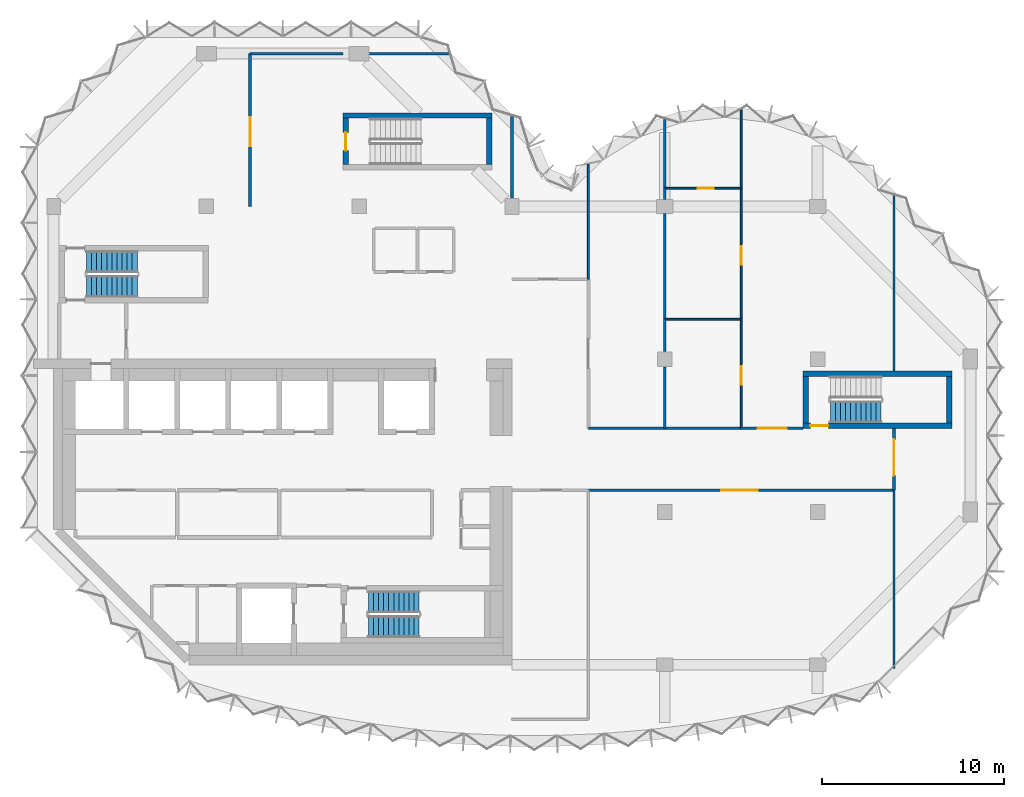
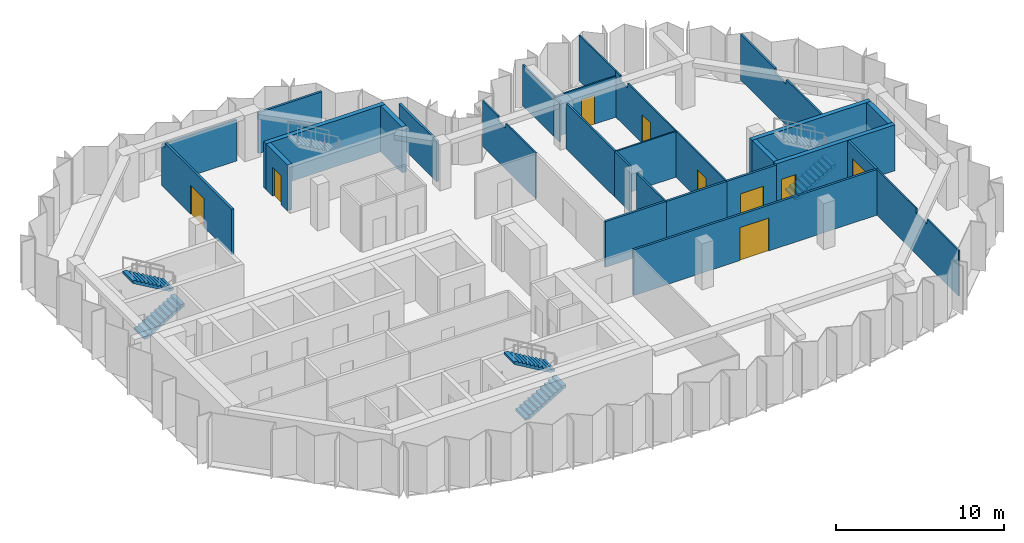
# One storey, part 6 of 9: 29 walls, 9 doors, 5 stair flights, 9 openings, 3 elements without a shape of their own.
"""IFC4 building model written with IfcOpenShell, lengths in metres."""

from ifc_helpers import new_model, si_unit, direction, frame, frame_2d, origin, place, context, subcontext, project, spatial, polyline, rectangle, outline, extrude, material, layer, layer_set, type_object, element, fill, aggregate, save


model = new_model("IFC4")

# Units and contexts
model_context = context("Model", 3, precision=1e-05, world=origin(), true_north=direction((0.0, 1.0)))
body_context = subcontext(model_context, "Body", "Model", "MODEL_VIEW")
ifc_project = project(units=[si_unit("LENGTHUNIT", "METRE"), si_unit("AREAUNIT", "SQUARE_METRE"), si_unit("VOLUMEUNIT", "CUBIC_METRE"), si_unit("PLANEANGLEUNIT", "RADIAN"), si_unit("MASSUNIT", "GRAM", prefix="KILO")], contexts=[model_context])

# Site, building, storey
site_placement = place(None, origin())
site = spatial("IfcSite", under=ifc_project, at=site_placement, CompositionType="ELEMENT")
building_placement = place(site_placement, origin())
building = spatial("IfcBuilding", under=site, at=building_placement, Name="Brevane Broadcast Tower", CompositionType="ELEMENT")
storey_placement = place(building_placement, frame((0.0, 0.0, 248.10009765625)))
storey = spatial("IfcBuildingStorey", under=building, at=storey_placement, Name="L63", CompositionType="ELEMENT", Elevation=248.10009765625)

# Wall
ifc_material_1 = material(Name="Concrete C50/60", Category="concrete")
ifc_layer_1 = layer(ifc_material_1, 0.300048828125)
ifc_layer_set_1 = layer_set([ifc_layer_1], Name="Core wall 300 mm C50/60")
wall_type_1 = type_object("IfcWallType", Name="Core wall 300 mm C50/60", PredefinedType="SHEAR", material=ifc_layer_set_1)
wall_1_placement = place(storey_placement, frame((15.89990234375, 30.199951171875, 0.0), z_axis=(0.0, 0.0, 1.0), x_axis=(1.0, 0.0, 0.0)))
element("IfcWall", 1, at=wall_1_placement, inside=storey, type_object=wall_type_1, Name="L63 stair wall ST-3-N", PredefinedType="SHEAR", context=body_context, shape_type="SweptSolid", body=[
    extrude(rectangle(XDim=8.2001953125, YDim=0.300048828125, at=frame_2d((4.10009765625, 0.0))), origin(), (0.0, 0.0, 1.0), 3.349853515625),
])

# Wall, opening, door
wall_2_placement = place(storey_placement, frame((16.050048828125, 27.5, 0.0), z_axis=(0.0, 0.0, 1.0), x_axis=(0.0, 1.0, 0.0)))
wall_2 = element("IfcWall", 2, at=wall_2_placement, inside=storey, type_object=wall_type_1, Name="L63 stair wall ST-3-W", PredefinedType="SHEAR", context=body_context, shape_type="SweptSolid", body=[
    extrude(rectangle(XDim=2.550048828125, YDim=0.300048828125, at=frame_2d((1.27490234375, 0.0))), origin(), (0.0, 0.0, 1.0), 3.349853515625),
])
opening_1_placement = place(wall_2_placement, frame((0.77490234375, 0.0, 0.0)))
opening_1 = element("IfcOpeningElement", 3, at=opening_1_placement, cuts=wall_2, Name="Opening L63-K12", PredefinedType="OPENING", context=body_context, shape_type="SweptSolid", body=[
    extrude(rectangle(XDim=1.0, YDim=2.10009765625, at=frame_2d((0.5, 1.050048828125))), frame((0.0, 0.159912109375, 0.0), z_axis=(0.0, -1.0, 0.0), x_axis=(1.0, 0.0, 0.0)), (0.0, 0.0, 1.0), 0.320068359375),
])
ifc_material_2 = material(Name="Steel", Category="steel")
door_type_1 = type_object("IfcDoorType", Name="Stair door 1000 x 2100", OperationType="SINGLE_SWING_LEFT", PredefinedType="DOOR", material=ifc_material_2)
door_1_placement = place(opening_1_placement, origin())
door_1 = element("IfcDoor", 4, at=door_1_placement, inside=storey, type_object=door_type_1, Name="Door L63-K12", OperationType="SINGLE_SWING_LEFT", OverallHeight=2.10009765625, OverallWidth=1.0, PredefinedType="DOOR", context=body_context, shape_type="SweptSolid", body=[
    extrude(rectangle(XDim=1.0, YDim=2.10009765625, at=frame_2d((0.5, 1.050048828125))), frame((0.0, 0.02490234375, 0.0), z_axis=(0.0, -1.0, 0.0), x_axis=(1.0, 0.0, 0.0)), (0.0, 0.0, 1.0), 0.050048828125),
])
fill(opening_1, door_1)

# Wall
wall_3_placement = place(storey_placement, frame((23.949951171875, 27.5, 0.0), z_axis=(0.0, 0.0, 1.0), x_axis=(0.0, 1.0, 0.0)))
element("IfcWall", 5, at=wall_3_placement, inside=storey, type_object=wall_type_1, Name="L63 stair wall ST-3-E", PredefinedType="SHEAR", context=body_context, shape_type="SweptSolid", body=[
    extrude(rectangle(XDim=2.550048828125, YDim=0.300048828125, at=frame_2d((1.27490234375, 0.0))), origin(), (0.0, 0.0, 1.0), 3.349853515625),
])

# Wall, opening, door
wall_4_placement = place(storey_placement, frame((49.39990234375, 13.14990234375, 0.0), z_axis=(0.0, 0.0, 1.0), x_axis=(-1.0, 0.0, 0.0)))
wall_4 = element("IfcWall", 6, at=wall_4_placement, inside=storey, type_object=wall_type_1, Name="L63 stair wall ST-4-S", PredefinedType="SHEAR", context=body_context, shape_type="SweptSolid", body=[
    extrude(rectangle(XDim=8.199951171875, YDim=0.300048828125, at=frame_2d((4.10009765625, 0.0))), origin(), (0.0, 0.0, 1.0), 3.349853515625),
])
opening_2_placement = place(wall_4_placement, frame((6.800048828125, 0.0, 0.0)))
opening_2 = element("IfcOpeningElement", 7, at=opening_2_placement, cuts=wall_4, Name="Opening L63-K13", PredefinedType="OPENING", context=body_context, shape_type="SweptSolid", body=[
    extrude(rectangle(XDim=1.0, YDim=2.10009765625, at=frame_2d((0.5, 1.050048828125))), frame((0.0, 0.159912109375, 0.0), z_axis=(0.0, -1.0, 0.0), x_axis=(1.0, 0.0, 0.0)), (0.0, 0.0, 1.0), 0.320068359375),
])
door_2_placement = place(opening_2_placement, origin())
door_2 = element("IfcDoor", 8, at=door_2_placement, inside=storey, type_object=door_type_1, Name="Door L63-K13", OperationType="SINGLE_SWING_RIGHT", OverallHeight=2.10009765625, OverallWidth=1.0, PredefinedType="DOOR", context=body_context, shape_type="SweptSolid", body=[
    extrude(rectangle(XDim=1.0, YDim=2.10009765625, at=frame_2d((0.5, 1.050048828125))), frame((0.0, 0.02490234375, 0.0), z_axis=(0.0, -1.0, 0.0), x_axis=(1.0, 0.0, 0.0)), (0.0, 0.0, 1.0), 0.050048828125),
])
fill(opening_2, door_2)

# Walls
wall_5_placement = place(storey_placement, frame((41.199951171875, 16.0, 0.0), z_axis=(0.0, 0.0, 1.0), x_axis=(1.0, 0.0, 0.0)))
element("IfcWall", 9, at=wall_5_placement, inside=storey, type_object=wall_type_1, Name="L63 stair wall ST-4-N", PredefinedType="SHEAR", context=body_context, shape_type="SweptSolid", body=[
    extrude(rectangle(XDim=8.199951171875, YDim=0.300048828125, at=frame_2d((4.10009765625, 0.0))), origin(), (0.0, 0.0, 1.0), 3.349853515625),
])
for number, where, z_axis, x_axis, name in (
    (10, (41.35009765625, 13.300048828125, 0.0), (0.0, 0.0, 1.0), (0.0, 1.0, 0.0), "L63 stair wall ST-4-W"),
    (11, (49.25, 13.300048828125, 0.0), (0.0, 0.0, 1.0), (0.0, 1.0, 0.0), "L63 stair wall ST-4-E"),
):
    element("IfcWall", number, at=place(storey_placement, frame(where, z_axis=z_axis, x_axis=x_axis)), inside=storey, type_object=wall_type_1, Name=name, PredefinedType="SHEAR", context=body_context, shape_type="SweptSolid", body=[
        extrude(rectangle(XDim=2.550048828125, YDim=0.300048828125, at=frame_2d((1.27490234375, 0.0))), origin(), (0.0, 0.0, 1.0), 3.349853515625),
    ])
ifc_material_3 = material(Name="Gypsum board partition")
ifc_layer_2 = layer(ifc_material_3, 0.10009765625)
ifc_layer_set_2 = layer_set([ifc_layer_2], Name="PARTITION 100 STUD")
wall_type_2 = type_object("IfcWallType", Name="PARTITION 100 STUD", PredefinedType="PARTITIONING", material=ifc_layer_set_2)
wall_6_placement = place(storey_placement, frame((29.39990234375, 27.510986328125, 0.0), z_axis=(0.0, 0.0, 1.0), x_axis=(0.0, -1.0, 0.0)))
element("IfcWall", 12, at=wall_6_placement, inside=storey, type_object=wall_type_2, Name="Partition G19-004", PredefinedType="PARTITIONING", context=body_context, shape_type="SweptSolid", body=[
    extrude(outline(polyline([(0.0, 0.0), (6.31103515625, 0.0), (6.31103515625, 3.329833984375), (2.760986328125, 3.329833984375), (2.759033203125, 2.97998046875), (1.863037109375, 2.97998046875), (1.861083984375, 3.329833984375), (0.236083984375, 3.329833984375), (0.0, 3.329833984375), (0.0, 0.0)])), frame((0.0, 0.050048828125, 0.0), z_axis=(0.0, -1.0, 0.0), x_axis=(1.0, 0.0, 0.0)), (0.0, 0.0, 1.0), 0.10009765625),
])
wall_7_placement = place(storey_placement, frame((46.199951171875, -0.199951171875, 0.0), z_axis=(0.0, 0.0, 1.0), x_axis=(0.0, 1.0, 0.0)))
element("IfcWall", 13, at=wall_7_placement, inside=storey, type_object=wall_type_2, Name="Partition G19-011", PredefinedType="PARTITIONING", context=body_context, shape_type="SweptSolid", body=[
    extrude(outline(polyline([(0.0, 0.0), (9.800048828125, 0.0), (9.800048828125, 3.329833984375), (5.065673828125, 3.329833984375), (5.063720703125, 2.97998046875), (3.736328125, 2.97998046875), (3.734375, 3.329833984375), (0.0, 3.329833984375), (0.0, 0.0)])), frame((0.0, 0.050048828125, 0.0), z_axis=(0.0, -1.0, 0.0), x_axis=(1.0, 0.0, 0.0)), (0.0, 0.0, 1.0), 0.10009765625),
])

# Wall, opening, door
wall_8_placement = place(storey_placement, frame((37.800048828125, 13.0, 0.0), z_axis=(0.0, 0.0, 1.0), x_axis=(0.0, 1.0, 0.0)))
wall_8 = element("IfcWall", 14, at=wall_8_placement, inside=storey, type_object=wall_type_2, Name="Partition G19-020", PredefinedType="PARTITIONING", context=body_context, shape_type="SweptSolid", body=[
    extrude(rectangle(XDim=6.0, YDim=0.10009765625, at=frame_2d((3.0, 0.0))), origin(), (0.0, 0.0, 1.0), 3.329833984375),
])
opening_3_placement = place(wall_8_placement, frame((2.39990234375, 0.0, 0.0)))
opening_3 = element("IfcOpeningElement", 15, at=opening_3_placement, cuts=wall_8, Name="Opening D30-007", PredefinedType="OPENING", context=body_context, shape_type="SweptSolid", body=[
    extrude(rectangle(XDim=1.0, YDim=2.10009765625, at=frame_2d((0.5, 1.050048828125))), frame((0.0, 0.06005859375, 0.0), z_axis=(0.0, -1.0, 0.0), x_axis=(1.0, 0.0, 0.0)), (0.0, 0.0, 1.0), 0.1201171875),
])
ifc_material_4 = material(Name="Timber door leaf", Category="wood")
door_type_2 = type_object("IfcDoorType", Name="DOOR SINGLE 1000 INTERNAL", OperationType="SINGLE_SWING_LEFT", PredefinedType="DOOR", material=ifc_material_4)
door_3_placement = place(opening_3_placement, origin())
door_3 = element("IfcDoor", 16, at=door_3_placement, inside=storey, type_object=door_type_2, Name="Door D30-007", OperationType="SINGLE_SWING_LEFT", OverallHeight=2.10009765625, OverallWidth=1.0, PredefinedType="DOOR", context=body_context, shape_type="SweptSolid", body=[
    extrude(rectangle(XDim=1.0, YDim=2.10009765625, at=frame_2d((0.5, 1.050048828125))), frame((0.0, 0.02490234375, 0.0), z_axis=(0.0, -1.0, 0.0), x_axis=(1.0, 0.0, 0.0)), (0.0, 0.0, 1.0), 0.050048828125),
])
fill(opening_3, door_3)

wall_9_placement = place(storey_placement, frame((37.800048828125, 19.0, 0.0), z_axis=(0.0, 0.0, 1.0), x_axis=(0.0, 1.0, 0.0)))
wall_9 = element("IfcWall", 17, at=wall_9_placement, inside=storey, type_object=wall_type_2, Name="Partition G19-021", PredefinedType="PARTITIONING", context=body_context, shape_type="SweptSolid", body=[
    extrude(outline(polyline([(0.0, 0.0), (7.199951171875, 0.0), (7.199951171875, 3.329833984375), (6.64990234375, 3.329833984375), (6.64794921875, 2.97998046875), (5.751953125, 2.97998046875), (5.75, 3.329833984375), (0.0, 3.329833984375), (0.0, 0.0)])), frame((0.0, 0.050048828125, 0.0), z_axis=(0.0, -1.0, 0.0), x_axis=(1.0, 0.0, 0.0)), (0.0, 0.0, 1.0), 0.10009765625),
])
opening_4_placement = place(wall_9_placement, frame((3.0, 0.0, 0.0)))
opening_4 = element("IfcOpeningElement", 18, at=opening_4_placement, cuts=wall_9, Name="Opening D30-008", PredefinedType="OPENING", context=body_context, shape_type="SweptSolid", body=[
    extrude(rectangle(XDim=1.0, YDim=2.10009765625, at=frame_2d((0.5, 1.050048828125))), frame((0.0, 0.06005859375, 0.0), z_axis=(0.0, -1.0, 0.0), x_axis=(1.0, 0.0, 0.0)), (0.0, 0.0, 1.0), 0.1201171875),
])
door_4_placement = place(opening_4_placement, origin())
door_4 = element("IfcDoor", 19, at=door_4_placement, inside=storey, type_object=door_type_2, Name="Door D30-008", OperationType="SINGLE_SWING_LEFT", OverallHeight=2.10009765625, OverallWidth=1.0, PredefinedType="DOOR", context=body_context, shape_type="SweptSolid", body=[
    extrude(rectangle(XDim=1.0, YDim=2.10009765625, at=frame_2d((0.5, 1.050048828125))), frame((0.0, 0.02490234375, 0.0), z_axis=(0.0, -1.0, 0.0), x_axis=(1.0, 0.0, 0.0)), (0.0, 0.0, 1.0), 0.050048828125),
])
fill(opening_4, door_4)

# Walls
wall_10_placement = place(storey_placement, frame((37.800048828125, 26.199951171875, 0.0), z_axis=(0.0, 0.0, 1.0), x_axis=(0.0, 1.0, 0.0)))
element("IfcWall", 20, at=wall_10_placement, inside=storey, type_object=wall_type_2, Name="Partition G19-022", PredefinedType="PARTITIONING", context=body_context, shape_type="SweptSolid", body=[
    extrude(rectangle(XDim=4.325927734375, YDim=0.10009765625, at=frame_2d((2.1630859375, 0.0))), origin(), (0.0, 0.0, 1.0), 3.329833984375),
])
wall_11_placement = place(storey_placement, frame((33.60009765625, 19.0, 0.0), z_axis=(0.0, 0.0, 1.0), x_axis=(1.0, 0.0, 0.0)))
element("IfcWall", 21, at=wall_11_placement, inside=storey, type_object=wall_type_2, Name="Partition G19-023", PredefinedType="PARTITIONING", context=body_context, shape_type="SweptSolid", body=[
    extrude(rectangle(XDim=4.199951171875, YDim=0.10009765625, at=frame_2d((2.10009765625, 0.0))), origin(), (0.0, 0.0, 1.0), 3.329833984375),
])

# Wall, opening, door
wall_12_placement = place(storey_placement, frame((33.60009765625, 26.199951171875, 0.0), z_axis=(0.0, 0.0, 1.0), x_axis=(1.0, 0.0, 0.0)))
wall_12 = element("IfcWall", 22, at=wall_12_placement, inside=storey, type_object=wall_type_2, Name="Partition G19-024", PredefinedType="PARTITIONING", context=body_context, shape_type="SweptSolid", body=[
    extrude(rectangle(XDim=4.199951171875, YDim=0.10009765625, at=frame_2d((2.10009765625, 0.0))), origin(), (0.0, 0.0, 1.0), 2.97998046875),
])
opening_5_placement = place(wall_12_placement, frame((1.800048828125, 0.0, 0.0)))
opening_5 = element("IfcOpeningElement", 23, at=opening_5_placement, cuts=wall_12, Name="Opening D30-009", PredefinedType="OPENING", context=body_context, shape_type="SweptSolid", body=[
    extrude(rectangle(XDim=0.89990234375, YDim=2.10009765625, at=frame_2d((0.449951171875, 1.050048828125))), frame((0.0, 0.06005859375, 0.0), z_axis=(0.0, -1.0, 0.0), x_axis=(1.0, 0.0, 0.0)), (0.0, 0.0, 1.0), 0.1201171875),
])
door_type_3 = type_object("IfcDoorType", Name="DOOR SINGLE 900 INTERNAL", OperationType="SINGLE_SWING_LEFT", PredefinedType="DOOR", material=ifc_material_4)
door_5_placement = place(opening_5_placement, origin())
door_5 = element("IfcDoor", 24, at=door_5_placement, inside=storey, type_object=door_type_3, Name="Door D30-009", OperationType="SINGLE_SWING_LEFT", OverallHeight=2.10009765625, OverallWidth=0.89990234375, PredefinedType="DOOR", context=body_context, shape_type="SweptSolid", body=[
    extrude(rectangle(XDim=0.89990234375, YDim=2.10009765625, at=frame_2d((0.449951171875, 1.050048828125))), frame((0.0, 0.02490234375, 0.0), z_axis=(0.0, -1.0, 0.0), x_axis=(1.0, 0.0, 0.0)), (0.0, 0.0, 1.0), 0.050048828125),
])
fill(opening_5, door_5)

# Walls
ifc_layer_3 = layer(ifc_material_3, 0.125)
ifc_layer_set_3 = layer_set([ifc_layer_3], Name="PARTITION 125 ACOUSTIC")
wall_type_3 = type_object("IfcWallType", Name="PARTITION 125 ACOUSTIC", PredefinedType="PARTITIONING", material=ifc_layer_set_3)
wall_13_placement = place(storey_placement, frame((46.199951171875, 16.14990234375, 0.0), z_axis=(0.0, 0.0, 1.0), x_axis=(0.0, 1.0, 0.0)))
element("IfcWall", 25, at=wall_13_placement, inside=storey, type_object=wall_type_3, Name="Partition G19-012", PredefinedType="PARTITIONING", context=body_context, shape_type="SweptSolid", body=[
    extrude(outline(polyline([(0.0, 0.0), (9.655517578125, 0.0), (9.655517578125, 3.329833984375), (9.25, 3.329833984375), (5.528076171875, 3.329833984375), (5.526123046875, 2.97998046875), (4.173828125, 2.97998046875), (4.171875, 3.329833984375), (0.0, 3.329833984375), (0.0, 0.0)])), frame((0.0, 0.0625, 0.0), z_axis=(0.0, -1.0, 0.0), x_axis=(1.0, 0.0, 0.0)), (0.0, 0.0, 1.0), 0.125),
])
wall_14_placement = place(storey_placement, frame((33.60009765625, 19.0, 0.0), z_axis=(0.0, 0.0, 1.0), x_axis=(0.0, -1.0, 0.0)))
element("IfcWall", 26, at=wall_14_placement, inside=storey, type_object=wall_type_3, Name="Partition G19-015", PredefinedType="PARTITIONING", context=body_context, shape_type="SweptSolid", body=[
    extrude(rectangle(XDim=1.780029296875, YDim=0.125, at=frame_2d((0.89013671875, 0.0))), origin(), (0.0, 0.0, 1.0), 3.329833984375),
])
wall_15_placement = place(storey_placement, frame((33.60009765625, 16.3798828125, 0.0), z_axis=(0.0, 0.0, 1.0), x_axis=(0.0, -1.0, 0.0)))
element("IfcWall", 27, at=wall_15_placement, inside=storey, type_object=wall_type_3, Name="Partition G19-016", PredefinedType="PARTITIONING", context=body_context, shape_type="SweptSolid", body=[
    extrude(rectangle(XDim=3.3798828125, YDim=0.125, at=frame_2d((1.68994140625, 0.0))), origin(), (0.0, 0.0, 1.0), 3.329833984375),
])
wall_16_placement = place(storey_placement, frame((33.60009765625, 26.199951171875, 0.0), z_axis=(0.0, 0.0, 1.0), x_axis=(0.0, -1.0, 0.0)))
element("IfcWall", 28, at=wall_16_placement, inside=storey, type_object=wall_type_3, Name="Partition G19-017", PredefinedType="PARTITIONING", context=body_context, shape_type="SweptSolid", body=[
    extrude(rectangle(XDim=0.60498046875, YDim=0.125, at=frame_2d((0.302490234375, 0.0))), origin(), (0.0, 0.0, 1.0), 2.97998046875),
])
wall_17_placement = place(storey_placement, frame((33.60009765625, 24.804931640625, 0.0), z_axis=(0.0, 0.0, 1.0), x_axis=(0.0, -1.0, 0.0)))
element("IfcWall", 29, at=wall_17_placement, inside=storey, type_object=wall_type_3, Name="Partition G19-018", PredefinedType="PARTITIONING", context=body_context, shape_type="SweptSolid", body=[
    extrude(outline(polyline([(0.0, 0.0), (5.804931640625, 0.0), (5.804931640625, 3.329833984375), (0.054931640625, 3.329833984375), (0.052978515625, 2.97998046875), (0.0, 2.97998046875), (0.0, 0.0)])), frame((0.0, 0.0625, 0.0), z_axis=(0.0, -1.0, 0.0), x_axis=(1.0, 0.0, 0.0)), (0.0, 0.0, 1.0), 0.125),
])
wall_18_placement = place(storey_placement, frame((33.60009765625, 29.98828125, 0.0), z_axis=(0.0, 0.0, 1.0), x_axis=(0.0, -1.0, 0.0)))
element("IfcWall", 30, at=wall_18_placement, inside=storey, type_object=wall_type_3, Name="Partition G19-019", PredefinedType="PARTITIONING", context=body_context, shape_type="SweptSolid", body=[
    extrude(rectangle(XDim=3.788330078125, YDim=0.125, at=frame_2d((1.89404296875, 0.0))), origin(), (0.0, 0.0, 1.0), 2.97998046875),
])
ifc_layer_4 = layer(ifc_material_3, 0.14990234375)
ifc_layer_set_4 = layer_set([ifc_layer_4], Name="PARTITION 150 EI 60")
wall_type_4 = type_object("IfcWallType", Name="PARTITION 150 EI 60", PredefinedType="PARTITIONING", material=ifc_layer_set_4)
wall_19_placement = place(storey_placement, frame((25.199951171875, 25.669921875, 0.0), z_axis=(0.0, 0.0, 1.0), x_axis=(0.0, 1.0, 0.0)))
element("IfcWall", 31, at=wall_19_placement, inside=storey, type_object=wall_type_4, Name="Partition G19-005", PredefinedType="PARTITIONING", context=body_context, shape_type="SweptSolid", body=[
    extrude(rectangle(XDim=4.486572265625, YDim=0.14990234375, at=frame_2d((2.2431640625, 0.0))), origin(), (0.0, 0.0, 1.0), 2.97998046875),
])

# Wall, opening, door
wall_20_placement = place(storey_placement, frame((46.199951171875, 13.0, 0.0), z_axis=(0.0, 0.0, 1.0), x_axis=(0.0, -1.0, 0.0)))
wall_20 = element("IfcWall", 32, at=wall_20_placement, inside=storey, type_object=wall_type_4, Name="Partition G19-006", PredefinedType="PARTITIONING", context=body_context, shape_type="SweptSolid", body=[
    extrude(rectangle(XDim=3.39990234375, YDim=0.14990234375, at=frame_2d((1.699951171875, 0.0))), origin(), (0.0, 0.0, 1.0), 3.329833984375),
])
opening_6_placement = place(wall_20_placement, frame((0.60009765625, 0.0, 0.0)))
opening_6 = element("IfcOpeningElement", 33, at=opening_6_placement, cuts=wall_20, Name="Opening D30-002", PredefinedType="OPENING", context=body_context, shape_type="SweptSolid", body=[
    extrude(rectangle(XDim=2.0, YDim=2.39990234375, at=frame_2d((1.0, 1.199951171875))), frame((0.0, 0.0849609375, 0.0), z_axis=(0.0, -1.0, 0.0), x_axis=(1.0, 0.0, 0.0)), (0.0, 0.0, 1.0), 0.169921875),
])
ifc_material_5 = material(Name="Fire-rated timber door leaf", Category="wood")
door_type_4 = type_object("IfcDoorType", Name="DOOR DOUBLE 2000 FD30S", OperationType="DOUBLE_DOOR_SINGLE_SWING", PredefinedType="DOOR", material=ifc_material_5)
door_6_placement = place(opening_6_placement, origin())
door_6 = element("IfcDoor", 34, at=door_6_placement, inside=storey, type_object=door_type_4, Name="Door D30-002", OperationType="DOUBLE_DOOR_SINGLE_SWING", OverallHeight=2.39990234375, OverallWidth=2.0, PredefinedType="DOOR", context=body_context, shape_type="SweptSolid", body=[
    extrude(rectangle(XDim=2.0, YDim=2.39990234375, at=frame_2d((1.0, 1.199951171875))), frame((0.0, 0.02490234375, 0.0), z_axis=(0.0, -1.0, 0.0), x_axis=(1.0, 0.0, 0.0)), (0.0, 0.0, 1.0), 0.050048828125),
])
fill(opening_6, door_6)

wall_21_placement = place(storey_placement, frame((46.199951171875, 9.60009765625, 0.0), z_axis=(0.0, 0.0, 1.0), x_axis=(-1.0, 0.0, 0.0)))
wall_21 = element("IfcWall", 35, at=wall_21_placement, inside=storey, type_object=wall_type_4, Name="Partition G19-007", PredefinedType="PARTITIONING", context=body_context, shape_type="SweptSolid", body=[
    extrude(rectangle(XDim=16.800048828125, YDim=0.14990234375, at=frame_2d((8.39990234375, 0.0))), origin(), (0.0, 0.0, 1.0), 3.329833984375),
])
opening_7_placement = place(wall_21_placement, frame((7.5, 0.0, 0.0)))
opening_7 = element("IfcOpeningElement", 36, at=opening_7_placement, cuts=wall_21, Name="Opening D30-004", PredefinedType="OPENING", context=body_context, shape_type="SweptSolid", body=[
    extrude(rectangle(XDim=2.0, YDim=2.39990234375, at=frame_2d((1.0, 1.199951171875))), frame((0.0, 0.0849609375, 0.0), z_axis=(0.0, -1.0, 0.0), x_axis=(1.0, 0.0, 0.0)), (0.0, 0.0, 1.0), 0.169921875),
])
door_7_placement = place(opening_7_placement, origin())
door_7 = element("IfcDoor", 37, at=door_7_placement, inside=storey, type_object=door_type_4, Name="Door D30-004", OperationType="DOUBLE_DOOR_SINGLE_SWING", OverallHeight=2.39990234375, OverallWidth=2.0, PredefinedType="DOOR", context=body_context, shape_type="SweptSolid", body=[
    extrude(rectangle(XDim=2.0, YDim=2.39990234375, at=frame_2d((1.0, 1.199951171875))), frame((0.0, 0.02490234375, 0.0), z_axis=(0.0, -1.0, 0.0), x_axis=(1.0, 0.0, 0.0)), (0.0, 0.0, 1.0), 0.050048828125),
])
fill(opening_7, door_7)

# Wall
wall_22_placement = place(storey_placement, frame((29.39990234375, 13.0, 0.0), z_axis=(0.0, 0.0, 1.0), x_axis=(1.0, 0.0, 0.0)))
element("IfcWall", 38, at=wall_22_placement, inside=storey, type_object=wall_type_4, Name="Partition G19-008", PredefinedType="PARTITIONING", context=body_context, shape_type="SweptSolid", body=[
    extrude(rectangle(XDim=4.2001953125, YDim=0.14990234375, at=frame_2d((2.10009765625, 0.0))), origin(), (0.0, 0.0, 1.0), 3.329833984375),
])

# Wall, opening, door
wall_23_placement = place(storey_placement, frame((37.800048828125, 13.0, 0.0), z_axis=(0.0, 0.0, 1.0), x_axis=(1.0, 0.0, 0.0)))
wall_23 = element("IfcWall", 39, at=wall_23_placement, inside=storey, type_object=wall_type_4, Name="Partition G19-009", PredefinedType="PARTITIONING", context=body_context, shape_type="SweptSolid", body=[
    extrude(rectangle(XDim=3.39990234375, YDim=0.14990234375, at=frame_2d((1.699951171875, 0.0))), origin(), (0.0, 0.0, 1.0), 3.329833984375),
])
opening_8_placement = place(wall_23_placement, frame((0.89990234375, 0.0, 0.0)))
opening_8 = element("IfcOpeningElement", 40, at=opening_8_placement, cuts=wall_23, Name="Opening D30-006", PredefinedType="OPENING", context=body_context, shape_type="SweptSolid", body=[
    extrude(rectangle(XDim=1.60009765625, YDim=2.10009765625, at=frame_2d((0.800048828125, 1.050048828125))), frame((0.0, 0.0849609375, 0.0), z_axis=(0.0, -1.0, 0.0), x_axis=(1.0, 0.0, 0.0)), (0.0, 0.0, 1.0), 0.169921875),
])
door_type_5 = type_object("IfcDoorType", Name="DOOR DOUBLE 1600 FD30S", OperationType="DOUBLE_DOOR_SINGLE_SWING", PredefinedType="DOOR", material=ifc_material_5)
door_8_placement = place(opening_8_placement, origin())
door_8 = element("IfcDoor", 41, at=door_8_placement, inside=storey, type_object=door_type_5, Name="Door D30-006", OperationType="DOUBLE_DOOR_SINGLE_SWING", OverallHeight=2.10009765625, OverallWidth=1.60009765625, PredefinedType="DOOR", context=body_context, shape_type="SweptSolid", body=[
    extrude(rectangle(XDim=1.60009765625, YDim=2.10009765625, at=frame_2d((0.800048828125, 1.050048828125))), frame((0.0, 0.02490234375, 0.0), z_axis=(0.0, -1.0, 0.0), x_axis=(1.0, 0.0, 0.0)), (0.0, 0.0, 1.0), 0.050048828125),
])
fill(opening_8, door_8)

# Wall
wall_24_placement = place(storey_placement, frame((33.60009765625, 13.0, 0.0), z_axis=(0.0, 0.0, 1.0), x_axis=(1.0, 0.0, 0.0)))
element("IfcWall", 42, at=wall_24_placement, inside=storey, type_object=wall_type_4, Name="Partition G19-010", PredefinedType="PARTITIONING", context=body_context, shape_type="SweptSolid", body=[
    extrude(rectangle(XDim=4.199951171875, YDim=0.14990234375, at=frame_2d((2.10009765625, 0.0))), origin(), (0.0, 0.0, 1.0), 3.329833984375),
])

# Wall, opening, door
wall_25_placement = place(storey_placement, frame((10.800048828125, 25.199951171875, 0.0), z_axis=(0.0, 0.0, 1.0), x_axis=(0.0, 1.0, 0.0)))
wall_25 = element("IfcWall", 43, at=wall_25_placement, inside=storey, type_object=wall_type_4, Name="Partition G19-025", PredefinedType="PARTITIONING", context=body_context, shape_type="SweptSolid", body=[
    extrude(outline(polyline([(0.0, 0.0), (8.400146484375, 0.0), (8.39990234375, 2.97998046875), (7.951904296875, 2.97998046875), (7.949951171875, 3.329833984375), (0.0, 3.329833984375), (0.0, 0.0)])), frame((0.0, 0.074951171875, 0.0), z_axis=(0.0, -1.0, 0.0), x_axis=(1.0, 0.0, 0.0)), (0.0, 0.0, 1.0), 0.14990234375),
])
opening_9_placement = place(wall_25_placement, frame((3.300048828125, 0.0, 0.0)))
opening_9 = element("IfcOpeningElement", 44, at=opening_9_placement, cuts=wall_25, Name="Opening D30-010", PredefinedType="OPENING", context=body_context, shape_type="SweptSolid", body=[
    extrude(rectangle(XDim=1.60009765625, YDim=2.10009765625, at=frame_2d((0.800048828125, 1.050048828125))), frame((0.0, 0.0849609375, 0.0), z_axis=(0.0, -1.0, 0.0), x_axis=(1.0, 0.0, 0.0)), (0.0, 0.0, 1.0), 0.169921875),
])
door_9_placement = place(opening_9_placement, origin())
door_9 = element("IfcDoor", 45, at=door_9_placement, inside=storey, type_object=door_type_5, Name="Door D30-010", OperationType="DOUBLE_DOOR_SINGLE_SWING", OverallHeight=2.10009765625, OverallWidth=1.60009765625, PredefinedType="DOOR", context=body_context, shape_type="SweptSolid", body=[
    extrude(rectangle(XDim=1.60009765625, YDim=2.10009765625, at=frame_2d((0.800048828125, 1.050048828125))), frame((0.0, 0.02490234375, 0.0), z_axis=(0.0, -1.0, 0.0), x_axis=(1.0, 0.0, 0.0)), (0.0, 0.0, 1.0), 0.050048828125),
])
fill(opening_9, door_9)

# Walls
wall_26_placement = place(storey_placement, frame((10.800048828125, 33.60009765625, 0.0), z_axis=(0.0, 0.0, 1.0), x_axis=(1.0, 0.0, 0.0)))
element("IfcWall", 46, at=wall_26_placement, inside=storey, type_object=wall_type_4, Name="Partition G19-026", PredefinedType="PARTITIONING", context=body_context, shape_type="SweptSolid", body=[
    extrude(outline(polyline([(0.0, 0.0), (5.099853515625, 0.0), (5.10009765625, 2.97998046875), (0.0, 2.97998046875), (0.0, 0.0)])), frame((0.0, 0.074951171875, 0.0), z_axis=(0.0, -1.0, 0.0), x_axis=(1.0, 0.0, 0.0)), (0.0, 0.0, 1.0), 0.14990234375),
])
wall_27_placement = place(storey_placement, frame((17.3701171875, 33.60009765625, 0.0), z_axis=(0.0, 0.0, 1.0), x_axis=(1.0, 0.0, 0.0)))
element("IfcWall", 47, at=wall_27_placement, inside=storey, type_object=wall_type_4, Name="Partition G19-027", PredefinedType="PARTITIONING", context=body_context, shape_type="SweptSolid", body=[
    extrude(rectangle(XDim=4.38623046875, YDim=0.14990234375, at=frame_2d((2.193115234375, 0.0))), origin(), (0.0, 0.0, 1.0), 2.97998046875),
])

# Stair, stair flights
stair_type = type_object("IfcStairType", Name="Exit stair 22 risers", PredefinedType="HALF_TURN_STAIR", material=ifc_material_1)
stair_1_placement = place(storey_placement, origin())
stair_1 = element("IfcStair", 48, at=stair_1_placement, inside=storey, type_object=stair_type, Name="L63 Exit stair ST-1", PredefinedType="HALF_TURN_STAIR")
stair_flight_type = type_object("IfcStairFlightType", Name="Exit stair flight 22 risers", PredefinedType="STRAIGHT", material=ifc_material_1)
stair_flight_1_placement = place(storey_placement, frame((1.800048828125, 20.800048828125, 0.0), z_axis=(0.0, 0.0, 1.0), x_axis=(1.0, 0.0, 0.0)))
stair_flight_1 = element("IfcStairFlight", 49, at=stair_flight_1_placement, type_object=stair_flight_type, Name="ST-1 flight 1", NumberOfRisers=11, NumberOfTreads=10, PredefinedType="STRAIGHT", RiserHeight=0.163636364, TreadLength=0.28, context=body_context, shape_type="SweptSolid", body=[
    extrude(outline(polyline([(0.0, 0.0), (0.0, 0.16357421875), (0.280029296875, 0.16357421875), (0.280029296875, 0.327392578125), (0.56005859375, 0.327392578125), (0.56005859375, 0.490966796875), (0.840087890625, 0.490966796875), (0.840087890625, 0.654541015625), (1.1201171875, 0.654541015625), (1.1201171875, 0.818115234375), (1.39990234375, 0.818115234375), (1.39990234375, 0.98193359375), (1.679931640625, 0.98193359375), (1.679931640625, 1.1455078125), (1.9599609375, 1.1455078125), (1.9599609375, 1.30908203125), (2.239990234375, 1.30908203125), (2.239990234375, 1.47265625), (2.52001953125, 1.47265625), (2.52001953125, 1.636474609375), (2.800048828125, 1.636474609375), (2.800048828125, 1.800048828125), (2.800048828125, 1.462646484375), (0.297119140625, 0.0), (0.0, 0.0)])), frame((0.0, 0.60009765625, 0.0), z_axis=(0.0, -1.0, 0.0), x_axis=(1.0, 0.0, 0.0)), (0.0, 0.0, 1.0), 1.199951171875),
])
stair_flight_2_placement = place(storey_placement, frame((4.60009765625, 22.14990234375, 1.7998046875), z_axis=(0.0, 0.0, 1.0), x_axis=(-1.0, 0.0, 0.0)))
stair_flight_2 = element("IfcStairFlight", 50, at=stair_flight_2_placement, type_object=stair_flight_type, Name="ST-1 flight 2", NumberOfRisers=11, NumberOfTreads=10, PredefinedType="STRAIGHT", RiserHeight=0.163636364, TreadLength=0.28, context=body_context, shape_type="SweptSolid", body=[
    extrude(outline(polyline([(0.0, 0.0), (0.0, 0.16357421875), (0.280029296875, 0.16357421875), (0.280029296875, 0.327392578125), (0.56005859375, 0.327392578125), (0.56005859375, 0.490966796875), (0.840087890625, 0.490966796875), (0.840087890625, 0.654541015625), (1.1201171875, 0.654541015625), (1.1201171875, 0.818115234375), (1.39990234375, 0.818115234375), (1.39990234375, 0.98193359375), (1.679931640625, 0.98193359375), (1.679931640625, 1.1455078125), (1.9599609375, 1.1455078125), (1.9599609375, 1.30908203125), (2.239990234375, 1.30908203125), (2.239990234375, 1.47265625), (2.52001953125, 1.47265625), (2.52001953125, 1.636474609375), (2.800048828125, 1.636474609375), (2.800048828125, 1.800048828125), (2.800048828125, 1.462646484375), (0.297119140625, 0.0), (0.0, 0.0)])), frame((0.0, 0.60009765625, 0.0), z_axis=(0.0, -1.0, 0.0), x_axis=(1.0, 0.0, 0.0)), (0.0, 0.0, 1.0), 1.199951171875),
])
aggregate(stair_1, [stair_flight_1, stair_flight_2])

stair_2_placement = place(storey_placement, origin())
stair_2 = element("IfcStair", 51, at=stair_2_placement, inside=storey, type_object=stair_type, Name="L63 Exit stair ST-2", PredefinedType="HALF_TURN_STAIR")
stair_flight_3_placement = place(storey_placement, frame((17.300048828125, 2.10009765625, 0.0), z_axis=(0.0, 0.0, 1.0), x_axis=(1.0, 0.0, 0.0)))
stair_flight_3 = element("IfcStairFlight", 52, at=stair_flight_3_placement, type_object=stair_flight_type, Name="ST-2 flight 1", NumberOfRisers=11, NumberOfTreads=10, PredefinedType="STRAIGHT", RiserHeight=0.163636364, TreadLength=0.28, context=body_context, shape_type="SweptSolid", body=[
    extrude(outline(polyline([(0.0, 0.0), (0.0, 0.16357421875), (0.280029296875, 0.16357421875), (0.280029296875, 0.327392578125), (0.56005859375, 0.327392578125), (0.56005859375, 0.490966796875), (0.840087890625, 0.490966796875), (0.840087890625, 0.654541015625), (1.1201171875, 0.654541015625), (1.1201171875, 0.818115234375), (1.39990234375, 0.818115234375), (1.39990234375, 0.98193359375), (1.679931640625, 0.98193359375), (1.679931640625, 1.1455078125), (1.9599609375, 1.1455078125), (1.9599609375, 1.30908203125), (2.239990234375, 1.30908203125), (2.239990234375, 1.47265625), (2.52001953125, 1.47265625), (2.52001953125, 1.636474609375), (2.800048828125, 1.636474609375), (2.800048828125, 1.800048828125), (2.800048828125, 1.462646484375), (0.297119140625, 0.0), (0.0, 0.0)])), frame((0.0, 0.60009765625, 0.0), z_axis=(0.0, -1.0, 0.0), x_axis=(1.0, 0.0, 0.0)), (0.0, 0.0, 1.0), 1.199951171875),
])
stair_flight_4_placement = place(storey_placement, frame((20.10009765625, 3.449951171875, 1.7998046875), z_axis=(0.0, 0.0, 1.0), x_axis=(-1.0, 0.0, 0.0)))
stair_flight_4 = element("IfcStairFlight", 53, at=stair_flight_4_placement, type_object=stair_flight_type, Name="ST-2 flight 2", NumberOfRisers=11, NumberOfTreads=10, PredefinedType="STRAIGHT", RiserHeight=0.163636364, TreadLength=0.28, context=body_context, shape_type="SweptSolid", body=[
    extrude(outline(polyline([(0.0, 0.0), (0.0, 0.16357421875), (0.280029296875, 0.16357421875), (0.280029296875, 0.327392578125), (0.56005859375, 0.327392578125), (0.56005859375, 0.490966796875), (0.840087890625, 0.490966796875), (0.840087890625, 0.654541015625), (1.1201171875, 0.654541015625), (1.1201171875, 0.818115234375), (1.39990234375, 0.818115234375), (1.39990234375, 0.98193359375), (1.679931640625, 0.98193359375), (1.679931640625, 1.1455078125), (1.9599609375, 1.1455078125), (1.9599609375, 1.30908203125), (2.239990234375, 1.30908203125), (2.239990234375, 1.47265625), (2.52001953125, 1.47265625), (2.52001953125, 1.636474609375), (2.800048828125, 1.636474609375), (2.800048828125, 1.800048828125), (2.800048828125, 1.462646484375), (0.297119140625, 0.0), (0.0, 0.0)])), frame((0.0, 0.60009765625, 0.0), z_axis=(0.0, -1.0, 0.0), x_axis=(1.0, 0.0, 0.0)), (0.0, 0.0, 1.0), 1.199951171875),
])
aggregate(stair_2, [stair_flight_3, stair_flight_4])

# Stair, stair flight
stair_3_placement = place(storey_placement, origin())
stair_3 = element("IfcStair", 54, at=stair_3_placement, inside=storey, type_object=stair_type, Name="L63 Exit stair ST-4", PredefinedType="HALF_TURN_STAIR")
stair_flight_5_placement = place(storey_placement, frame((42.699951171875, 13.89990234375, 0.0), z_axis=(0.0, 0.0, 1.0), x_axis=(1.0, 0.0, 0.0)))
stair_flight_5 = element("IfcStairFlight", 55, at=stair_flight_5_placement, type_object=stair_flight_type, Name="ST-4 flight 1", NumberOfRisers=11, NumberOfTreads=10, PredefinedType="STRAIGHT", RiserHeight=0.163636364, TreadLength=0.28, context=body_context, shape_type="SweptSolid", body=[
    extrude(outline(polyline([(0.0, 0.0), (0.0, 0.16357421875), (0.280029296875, 0.16357421875), (0.280029296875, 0.327392578125), (0.56005859375, 0.327392578125), (0.56005859375, 0.490966796875), (0.840087890625, 0.490966796875), (0.840087890625, 0.654541015625), (1.1201171875, 0.654541015625), (1.1201171875, 0.818115234375), (1.39990234375, 0.818115234375), (1.39990234375, 0.98193359375), (1.679931640625, 0.98193359375), (1.679931640625, 1.1455078125), (1.9599609375, 1.1455078125), (1.9599609375, 1.30908203125), (2.239990234375, 1.30908203125), (2.239990234375, 1.47265625), (2.52001953125, 1.47265625), (2.52001953125, 1.636474609375), (2.800048828125, 1.636474609375), (2.800048828125, 1.800048828125), (2.800048828125, 1.462646484375), (0.297119140625, 0.0), (0.0, 0.0)])), frame((0.0, 0.60009765625, 0.0), z_axis=(0.0, -1.0, 0.0), x_axis=(1.0, 0.0, 0.0)), (0.0, 0.0, 1.0), 1.199951171875),
])
aggregate(stair_3, [stair_flight_5])

save(model, "model.ifc")
